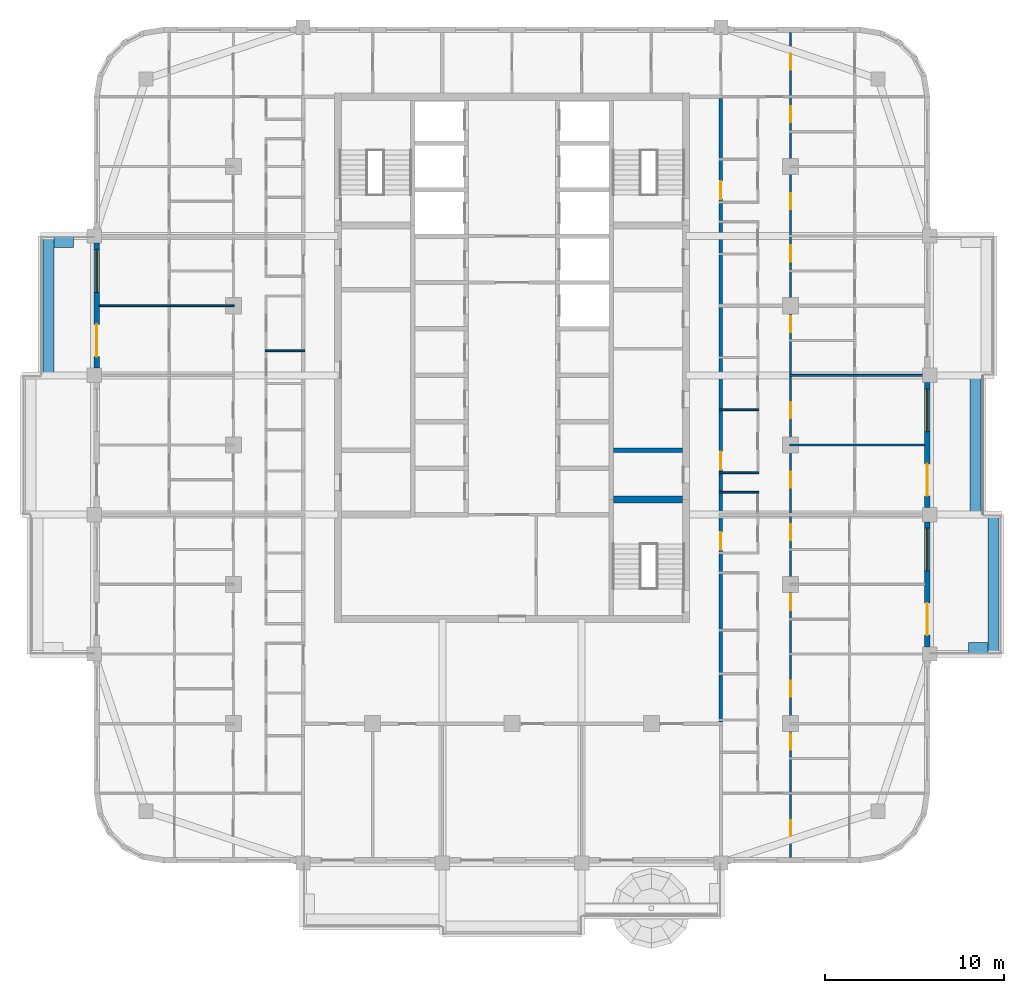
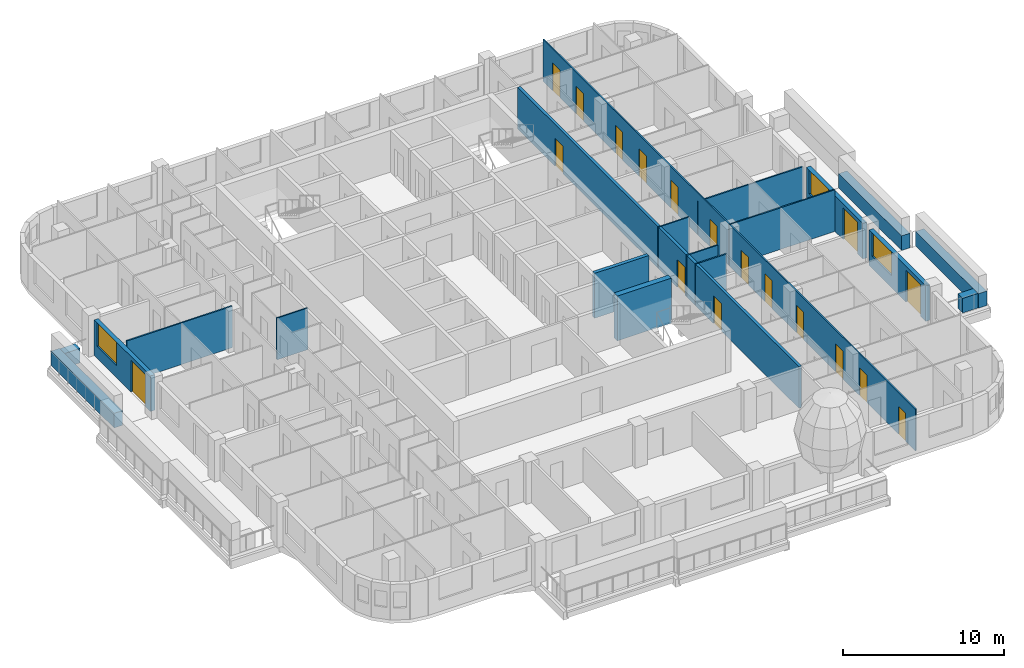
# One storey, part 7 of 17: 19 walls, 18 doors, 3 windows, 21 openings.
"""IFC4 building model written with IfcOpenShell, lengths in metres."""

import ifcopenshell
import ifcopenshell.guid

model = None  # the IFC model being written
_history = None  # IfcOwnerHistory: only IFC2X3 demands one
_inside = {}  # id of a spatial element -> (the spatial element, [elements in it])
_under = {}  # id of a project, library or spatial element -> (it, [spatial elements below it])
_declared = {}  # id of a project -> (the project, [libraries it declares])
_typed = {}  # id of a type object -> (the type object, [elements of that type])
_made_of = {}  # id of a material, layer set ... -> (it, [elements and type objects made of it])


def new_model(schema):
    """Start an empty IFC model of exactly this schema.

    Asked for "IFC4X3", IfcOpenShell would pick the latest addendum, in which some entities
    have other attributes; the version numbers below select the first issue.
    IFC2X3 requires an IfcOwnerHistory on every rooted entity: one is made here for all.
    """
    global model, _history
    if schema == "IFC4X3":
        model = ifcopenshell.file(schema_version=(4, 3, 0, 0))
    else:
        model = ifcopenshell.file(schema=schema)
    _inside.clear()
    _under.clear()
    _declared.clear()
    _typed.clear()
    _made_of.clear()
    _history = None
    if model.schema == "IFC2X3":
        org = make("IfcOrganization", Name="unknown")
        user = make(
            "IfcPersonAndOrganization",
            ThePerson=make("IfcPerson", FamilyName="unknown"),
            TheOrganization=org,
        )
        app = make(
            "IfcApplication",
            ApplicationDeveloper=org,
            Version="unknown",
            ApplicationFullName="unknown",
            ApplicationIdentifier="unknown",
        )
        _history = make(
            "IfcOwnerHistory",
            OwningUser=user,
            OwningApplication=app,
            ChangeAction="ADDED",
            CreationDate=0,
        )
    return model


def make(cls, **values):
    """One entity of the class cls with the attributes given. An attribute that is None is left unset."""
    return model.create_entity(
        cls, **{name: value for name, value in values.items() if value is not None}
    )


def rooted(cls, **values):
    """An entity with a GlobalId (a new one), such as an element, a storey or a relation."""
    return make(cls, GlobalId=ifcopenshell.guid.new(), OwnerHistory=_history, **values)


def si_unit(unit_type, name, prefix=None):
    """IfcSIUnit, for example si_unit("LENGTHUNIT", "METRE", prefix="MILLI")."""
    return make("IfcSIUnit", UnitType=unit_type, Prefix=prefix, Name=name)


def assignment(units):
    """IfcUnitAssignment: the units of a project."""
    return None if units is None else make("IfcUnitAssignment", Units=units)


def point(xyz):
    """IfcCartesianPoint."""
    return None if xyz is None else make("IfcCartesianPoint", Coordinates=xyz)


def direction(xyz):
    """IfcDirection."""
    return None if xyz is None else make("IfcDirection", DirectionRatios=xyz)


def frame(location, z_axis=None, x_axis=None):
    """IfcAxis2Placement3D, a coordinate frame: its origin and axes. An axis left out is left unset."""
    return make(
        "IfcAxis2Placement3D",
        Location=point(location),
        Axis=direction(z_axis),
        RefDirection=direction(x_axis),
    )


def frame_2d(location, x_axis=None):
    """IfcAxis2Placement2D, a coordinate frame in the plane: its origin and x axis."""
    return make(
        "IfcAxis2Placement2D", Location=point(location), RefDirection=direction(x_axis)
    )


def origin():
    """The frame at (0, 0, 0) with its axes left unset."""
    return frame((0.0, 0.0, 0.0))


def place(relative_to, where):
    """IfcLocalPlacement: puts the frame where relative to a parent placement (None: the world)."""
    return make(
        "IfcLocalPlacement", PlacementRelTo=relative_to, RelativePlacement=where
    )


def context(
    kind, dimensions, precision=None, world=None, true_north=None, identifier=None
):
    """IfcGeometricRepresentationContext, for example the 3D "Model" context."""
    return make(
        "IfcGeometricRepresentationContext",
        ContextIdentifier=identifier,
        ContextType=kind,
        CoordinateSpaceDimension=dimensions,
        Precision=precision,
        WorldCoordinateSystem=world,
        TrueNorth=true_north,
    )


def subcontext(parent, identifier, kind, view, scale=None):
    """IfcGeometricRepresentationSubContext, for example "Body" below "Model"."""
    return make(
        "IfcGeometricRepresentationSubContext",
        ContextIdentifier=identifier,
        ContextType=kind,
        ParentContext=parent,
        TargetScale=scale,
        TargetView=view,
    )


def project(units=None, contexts=None):
    """IfcProject with its units and contexts."""
    return rooted(
        "IfcProject",
        Name="project",
        RepresentationContexts=contexts,
        UnitsInContext=assignment(units),
    )


def spatial(cls, under=None, at=None, **own):
    """A site, building, storey or space (cls), placed at a placement, below another one or the project."""
    s = rooted(cls, ObjectPlacement=at, **own)
    if under is not None:
        _under.setdefault(under.id(), (under, []))[1].append(s)
    return s


def profile(cls, at=None, kind="AREA", **sizes):
    """A parametric profile (cls). Its sizes go by their IFC names, for example OverallWidth=200.0."""
    return make(cls, ProfileType=kind, Position=at, **sizes)


def rectangle(**sizes):
    """IfcRectangleProfileDef."""
    return profile("IfcRectangleProfileDef", **sizes)


def extrude(swept, where, along, depth):
    """IfcExtrudedAreaSolid: the profile swept, set in the frame where, extruded along a direction by depth."""
    return make(
        "IfcExtrudedAreaSolid",
        SweptArea=swept,
        Position=where,
        ExtrudedDirection=direction(along),
        Depth=depth,
    )


def shape(context_of_items, identifier, shape_type, items):
    """IfcShapeRepresentation: the items that make up one representation, for example the "Body"."""
    return make(
        "IfcShapeRepresentation",
        ContextOfItems=context_of_items,
        RepresentationIdentifier=identifier,
        RepresentationType=shape_type,
        Items=items,
    )


def material(Name=None, Category=None):
    """IfcMaterial."""
    return make("IfcMaterial", Name=Name, Category=Category)


def layer(
    of_material, thickness, ventilated=None, Name=None, Category=None, Priority=None
):
    """IfcMaterialLayer: one layer of a wall or slab, of a material (None: an air gap)."""
    return make(
        "IfcMaterialLayer",
        Material=of_material,
        LayerThickness=thickness,
        IsVentilated=ventilated,
        Name=Name,
        Category=Category,
        Priority=Priority,
    )


def layer_set(layers, Name=None):
    """IfcMaterialLayerSet."""
    return make("IfcMaterialLayerSet", MaterialLayers=layers, LayerSetName=Name)


def made_of(thing, what):
    """Note that an element or type object is made of a material, layer set ...; save() writes the relation."""
    if what is not None:
        _made_of.setdefault(what.id(), (what, []))[1].append(thing)
    return thing


def type_object(cls, material=None, **own):
    """A type object (cls), such as IfcWallType, which elements share."""
    return made_of(rooted(cls, **own), material)


def element(
    cls,
    number,
    at=None,
    inside=None,
    cuts=None,
    type_object=None,
    material=None,
    context=None,
    identifier="Body",
    shape_type=None,
    held_by="IfcProductDefinitionShape",
    body=None,
    shapes=None,
    **own,
):
    """One element of the class cls, such as IfcWall. Its Tag is "e" and its number.

    at: its placement. inside: the storey or other place that contains it. cuts: it is an
    opening in that element (IfcRelVoidsElement). A single representation is given by context,
    identifier, shape_type and body (its items); several are given by shapes. held_by: the class
    of the entity that holds the representations. save() writes the other relations.
    """
    e = rooted(cls, Tag="e%d" % number, ObjectPlacement=at, **own)
    if body is not None:
        shapes = [shape(context, identifier, shape_type, body)]
    if shapes is not None:
        e.Representation = make(held_by, Representations=shapes)
    if inside is not None:
        _inside.setdefault(inside.id(), (inside, []))[1].append(e)
    if cuts is not None:
        rooted(
            "IfcRelVoidsElement", RelatingBuildingElement=cuts, RelatedOpeningElement=e
        )
    if type_object is not None:
        _typed.setdefault(type_object.id(), (type_object, []))[1].append(e)
    return made_of(e, material)


def fill(opening, filler):
    """IfcRelFillsElement: the door or window that sits in an opening."""
    return rooted(
        "IfcRelFillsElement",
        RelatingOpeningElement=opening,
        RelatedBuildingElement=filler,
    )


def aggregate(whole, parts):
    """IfcRelAggregates: a whole, such as a stair, and the parts it consists of."""
    return rooted("IfcRelAggregates", RelatingObject=whole, RelatedObjects=parts)


def save(model, path):
    """Write the relations noted so far, then the file.

    IfcRelAggregates (storeys below a building ...), IfcRelContainedInSpatialStructure (elements
    in a storey), IfcRelDefinesByType, IfcRelAssociatesMaterial and IfcRelDeclares: one each for
    every whole, place, type object, material and project.
    """
    for whole, parts in _under.values():
        aggregate(whole, parts)
    for where, things in _inside.values():
        rooted(
            "IfcRelContainedInSpatialStructure",
            RelatedElements=things,
            RelatingStructure=where,
        )
    for kind, things in _typed.values():
        rooted("IfcRelDefinesByType", RelatedObjects=things, RelatingType=kind)
    for what, things in _made_of.values():
        rooted("IfcRelAssociatesMaterial", RelatedObjects=things, RelatingMaterial=what)
    for by, libraries in _declared.values():
        rooted("IfcRelDeclares", RelatingContext=by, RelatedDefinitions=libraries)
    model.write(path)


model = new_model("IFC4")

# Units and contexts
model_context = context("Model", 3, precision=1e-05, world=origin(), true_north=direction((0.0, 1.0)))
body_context = subcontext(model_context, "Body", "Model", "MODEL_VIEW")
ifc_project = project(units=[si_unit("LENGTHUNIT", "METRE"), si_unit("AREAUNIT", "SQUARE_METRE"), si_unit("VOLUMEUNIT", "CUBIC_METRE"), si_unit("PLANEANGLEUNIT", "RADIAN"), si_unit("MASSUNIT", "GRAM", prefix="KILO")], contexts=[model_context])

# Site, building, storey
site_placement = place(None, origin())
site = spatial("IfcSite", under=ifc_project, at=site_placement, CompositionType="ELEMENT")
building_placement = place(site_placement, origin())
building = spatial("IfcBuilding", under=site, at=building_placement, Name="Ludao Terraces", CompositionType="ELEMENT")
storey_placement = place(building_placement, frame((0.0, 0.0, 210.89990234375)))
storey = spatial("IfcBuildingStorey", under=building, at=storey_placement, Name="L57", CompositionType="ELEMENT", Elevation=210.89990234375)

# Walls
ifc_material_1 = material(Name="Concrete C40", Category="concrete")
ifc_layer_1 = layer(ifc_material_1, 0.60009765625)
ifc_layer_set_1 = layer_set([ifc_layer_1], Name="ENV Planter trough 600")
wall_type_1 = type_object("IfcWallType", Name="ENV Planter trough 600", PredefinedType="USERDEFINED", material=ifc_layer_set_1)
wall_1_placement = place(storey_placement, frame((111.949951171875, 53.300048828125, 0.0), z_axis=(0.0, 0.0, 1.0), x_axis=(0.0, 1.0, 0.0)))
element("IfcWall", 1, at=wall_1_placement, inside=storey, type_object=wall_type_1, Name="PL-L57-E1", ObjectType="PLANTER", PredefinedType="USERDEFINED", context=body_context, shape_type="SweptSolid", body=[
    extrude(rectangle(XDim=7.800048828125, YDim=0.60009765625, at=frame_2d((3.89990234375, 0.0))), origin(), (0.0, 0.0, 1.0), 1.10009765625),
])
wall_2_placement = place(storey_placement, frame((111.64990234375, 53.64990234375, 0.0), z_axis=(0.0, 0.0, 1.0), x_axis=(-1.0, 0.0, 0.0)))
element("IfcWall", 2, at=wall_2_placement, inside=storey, type_object=wall_type_1, Name="PL-L57-E1-SA", ObjectType="PLANTER", PredefinedType="USERDEFINED", context=body_context, shape_type="SweptSolid", body=[
    extrude(rectangle(XDim=1.099853515625, YDim=0.60009765625, at=frame_2d((0.5498046875, 0.0))), origin(), (0.0, 0.0, 1.0), 1.10009765625),
])
wall_3_placement = place(storey_placement, frame((110.949951171875, 61.10009765625, 0.0), z_axis=(0.0, 0.0, 1.0), x_axis=(0.0, 1.0, 0.0)))
element("IfcWall", 3, at=wall_3_placement, inside=storey, type_object=wall_type_1, Name="PL-L57-E2", ObjectType="PLANTER", PredefinedType="USERDEFINED", context=body_context, shape_type="SweptSolid", body=[
    extrude(rectangle(XDim=7.7998046875, YDim=0.60009765625, at=frame_2d((3.89990234375, 0.0))), origin(), (0.0, 0.0, 1.0), 1.10009765625),
])
wall_4_placement = place(storey_placement, frame((59.050048828125, 68.89990234375, 0.0), z_axis=(0.0, 0.0, 1.0), x_axis=(0.0, 1.0, 0.0)))
element("IfcWall", 4, at=wall_4_placement, inside=storey, type_object=wall_type_1, Name="PL-L57-W3", ObjectType="PLANTER", PredefinedType="USERDEFINED", context=body_context, shape_type="SweptSolid", body=[
    extrude(rectangle(XDim=7.800048828125, YDim=0.60009765625, at=frame_2d((3.89990234375, 0.0))), origin(), (0.0, 0.0, 1.0), 1.10009765625),
])
wall_5_placement = place(storey_placement, frame((59.35009765625, 76.35009765625, 0.0), z_axis=(0.0, 0.0, 1.0), x_axis=(1.0, 0.0, 0.0)))
element("IfcWall", 5, at=wall_5_placement, inside=storey, type_object=wall_type_1, Name="PL-L57-W3-SB", ObjectType="PLANTER", PredefinedType="USERDEFINED", context=body_context, shape_type="SweptSolid", body=[
    extrude(rectangle(XDim=1.099853515625, YDim=0.60009765625, at=frame_2d((0.5498046875, 0.0))), origin(), (0.0, 0.0, 1.0), 1.10009765625),
])

# Wall, openings, door, window
ifc_material_2 = material(Name="Granite cladding", Category="masonry")
ifc_layer_2 = layer(ifc_material_2, 0.0400390625, Category="stone")
ifc_material_3 = material(Name="Mineral wool")
ifc_layer_3 = layer(ifc_material_3, 0.06005859375)
ifc_layer_4 = layer(ifc_material_1, 0.199951171875, Category="concrete")
ifc_layer_set_2 = layer_set([ifc_layer_2, ifc_layer_3, ifc_layer_4], Name="ENV Stone-clad wall 300")
wall_type_2 = type_object("IfcWallType", Name="ENV Stone-clad wall 300", PredefinedType="SOLIDWALL", material=ifc_layer_set_2)
wall_6_placement = place(storey_placement, frame((108.25, 53.699951171875, 0.0), z_axis=(0.0, 0.0, 1.0), x_axis=(0.0, 1.0, 0.0)))
wall_6 = element("IfcWall", 6, at=wall_6_placement, inside=storey, type_object=wall_type_2, Name="EW-L57-E2", PredefinedType="SOLIDWALL", context=body_context, shape_type="SweptSolid", body=[
    extrude(rectangle(XDim=7.0, YDim=0.300048828125, at=frame_2d((3.5, 0.0))), origin(), (0.0, 0.0, 1.0), 2.7001953125),
])
opening_1_placement = place(wall_6_placement, frame((0.64990234375, 0.0, 0.0)))
opening_1 = element("IfcOpeningElement", 7, at=opening_1_placement, cuts=wall_6, Name="Opening BD", PredefinedType="OPENING", context=body_context, shape_type="SweptSolid", body=[
    extrude(rectangle(XDim=1.800048828125, YDim=2.39990234375, at=frame_2d((0.89990234375, 1.199951171875))), frame((0.0, 0.16015625, 0.0), z_axis=(0.0, -1.0, 0.0), x_axis=(1.0, 0.0, 0.0)), (0.0, 0.0, 1.0), 0.320068359375),
])
opening_2_placement = place(wall_6_placement, frame((4.25, 0.0, 0.89990234375)))
opening_2 = element("IfcOpeningElement", 8, at=opening_2_placement, cuts=wall_6, Name="Opening W1", PredefinedType="OPENING", context=body_context, shape_type="SweptSolid", body=[
    extrude(rectangle(XDim=2.39990234375, YDim=1.800048828125, at=frame_2d((1.199951171875, 0.89990234375))), frame((0.0, 0.16015625, 0.0), z_axis=(0.0, -1.0, 0.0), x_axis=(1.0, 0.0, 0.0)), (0.0, 0.0, 1.0), 0.320068359375),
])
ifc_material_4 = material(Name="Aluminium glazed door", Category="aluminium")
ifc_layer_5 = layer(ifc_material_4, 0.06005859375)
ifc_layer_set_3 = layer_set([ifc_layer_5], Name="ENV Balcony door BD 1800x2400")
door_type_1 = type_object("IfcDoorType", Name="ENV Balcony door BD 1800x2400", OperationType="DOUBLE_DOOR_SINGLE_SWING", PredefinedType="DOOR", material=ifc_layer_set_3)
door_1_placement = place(opening_1_placement, origin())
door_1 = element("IfcDoor", 9, at=door_1_placement, inside=storey, type_object=door_type_1, Name="BD-L57-E2-1", OperationType="DOUBLE_DOOR_SINGLE_SWING", OverallHeight=2.39990234375, OverallWidth=1.800048828125, PredefinedType="DOOR", context=body_context, shape_type="SweptSolid", body=[
    extrude(rectangle(XDim=1.800048828125, YDim=2.39990234375, at=frame_2d((0.89990234375, 1.199951171875))), frame((0.0, 0.02490234375, 0.0), z_axis=(0.0, -1.0, 0.0), x_axis=(1.0, 0.0, 0.0)), (0.0, 0.0, 1.0), 0.050048828125),
])
fill(opening_1, door_1)
ifc_material_5 = material(Name="Clear glass in aluminium frame", Category="aluminium")
ifc_layer_6 = layer(ifc_material_5, 0.06005859375)
ifc_layer_set_4 = layer_set([ifc_layer_6], Name="ENV Window W1 2400x1800")
window_type = type_object("IfcWindowType", Name="ENV Window W1 2400x1800", PartitioningType="DOUBLE_PANEL_VERTICAL", PredefinedType="WINDOW", material=ifc_layer_set_4)
window_1_placement = place(opening_2_placement, origin())
window_1 = element("IfcWindow", 10, at=window_1_placement, inside=storey, type_object=window_type, Name="W-L57-E2-2", OverallHeight=1.800048828125, OverallWidth=2.39990234375, PartitioningType="DOUBLE_PANEL_VERTICAL", PredefinedType="WINDOW", context=body_context, shape_type="SweptSolid", body=[
    extrude(rectangle(XDim=2.39990234375, YDim=1.800048828125, at=frame_2d((1.199951171875, 0.89990234375))), frame((0.0, 0.030029296875, 0.0), z_axis=(0.0, -1.0, 0.0), x_axis=(1.0, 0.0, 0.0)), (0.0, 0.0, 1.0), 0.06005859375),
])
fill(opening_2, window_1)

wall_7_placement = place(storey_placement, frame((108.25, 61.5, 0.0), z_axis=(0.0, 0.0, 1.0), x_axis=(0.0, 1.0, 0.0)))
wall_7 = element("IfcWall", 11, at=wall_7_placement, inside=storey, type_object=wall_type_2, Name="EW-L57-E3", PredefinedType="SOLIDWALL", context=body_context, shape_type="SweptSolid", body=[
    extrude(rectangle(XDim=7.0, YDim=0.300048828125, at=frame_2d((3.5, 0.0))), origin(), (0.0, 0.0, 1.0), 2.7001953125),
])
opening_3_placement = place(wall_7_placement, frame((0.64990234375, 0.0, 0.0)))
opening_3 = element("IfcOpeningElement", 12, at=opening_3_placement, cuts=wall_7, Name="Opening BD", PredefinedType="OPENING", context=body_context, shape_type="SweptSolid", body=[
    extrude(rectangle(XDim=1.800048828125, YDim=2.39990234375, at=frame_2d((0.89990234375, 1.199951171875))), frame((0.0, 0.16015625, 0.0), z_axis=(0.0, -1.0, 0.0), x_axis=(1.0, 0.0, 0.0)), (0.0, 0.0, 1.0), 0.320068359375),
])
opening_4_placement = place(wall_7_placement, frame((4.25, 0.0, 0.89990234375)))
opening_4 = element("IfcOpeningElement", 13, at=opening_4_placement, cuts=wall_7, Name="Opening W1", PredefinedType="OPENING", context=body_context, shape_type="SweptSolid", body=[
    extrude(rectangle(XDim=2.39990234375, YDim=1.800048828125, at=frame_2d((1.199951171875, 0.89990234375))), frame((0.0, 0.16015625, 0.0), z_axis=(0.0, -1.0, 0.0), x_axis=(1.0, 0.0, 0.0)), (0.0, 0.0, 1.0), 0.320068359375),
])
door_2_placement = place(opening_3_placement, origin())
door_2 = element("IfcDoor", 14, at=door_2_placement, inside=storey, type_object=door_type_1, Name="BD-L57-E3-1", OperationType="DOUBLE_DOOR_SINGLE_SWING", OverallHeight=2.39990234375, OverallWidth=1.800048828125, PredefinedType="DOOR", context=body_context, shape_type="SweptSolid", body=[
    extrude(rectangle(XDim=1.800048828125, YDim=2.39990234375, at=frame_2d((0.89990234375, 1.199951171875))), frame((0.0, 0.02490234375, 0.0), z_axis=(0.0, -1.0, 0.0), x_axis=(1.0, 0.0, 0.0)), (0.0, 0.0, 1.0), 0.050048828125),
])
fill(opening_3, door_2)
window_2_placement = place(opening_4_placement, origin())
window_2 = element("IfcWindow", 15, at=window_2_placement, inside=storey, type_object=window_type, Name="W-L57-E3-2", OverallHeight=1.800048828125, OverallWidth=2.39990234375, PartitioningType="DOUBLE_PANEL_VERTICAL", PredefinedType="WINDOW", context=body_context, shape_type="SweptSolid", body=[
    extrude(rectangle(XDim=2.39990234375, YDim=1.800048828125, at=frame_2d((1.199951171875, 0.89990234375))), frame((0.0, 0.030029296875, 0.0), z_axis=(0.0, -1.0, 0.0), x_axis=(1.0, 0.0, 0.0)), (0.0, 0.0, 1.0), 0.06005859375),
])
fill(opening_4, window_2)

wall_8_placement = place(storey_placement, frame((61.75, 69.300048828125, 0.0), z_axis=(0.0, 0.0, 1.0), x_axis=(0.0, 1.0, 0.0)))
wall_8 = element("IfcWall", 16, at=wall_8_placement, inside=storey, type_object=wall_type_2, Name="EW-L57-W4", PredefinedType="SOLIDWALL", context=body_context, shape_type="SweptSolid", body=[
    extrude(rectangle(XDim=7.0, YDim=0.300048828125, at=frame_2d((3.5, 0.0))), origin(), (0.0, 0.0, 1.0), 2.7001953125),
])
opening_5_placement = place(wall_8_placement, frame((0.64990234375, 0.0, 0.0)))
opening_5 = element("IfcOpeningElement", 17, at=opening_5_placement, cuts=wall_8, Name="Opening BD", PredefinedType="OPENING", context=body_context, shape_type="SweptSolid", body=[
    extrude(rectangle(XDim=1.800048828125, YDim=2.39990234375, at=frame_2d((0.89990234375, 1.199951171875))), frame((0.0, 0.16015625, 0.0), z_axis=(0.0, -1.0, 0.0), x_axis=(1.0, 0.0, 0.0)), (0.0, 0.0, 1.0), 0.320068359375),
])
opening_6_placement = place(wall_8_placement, frame((4.25, 0.0, 0.89990234375)))
opening_6 = element("IfcOpeningElement", 18, at=opening_6_placement, cuts=wall_8, Name="Opening W1", PredefinedType="OPENING", context=body_context, shape_type="SweptSolid", body=[
    extrude(rectangle(XDim=2.39990234375, YDim=1.800048828125, at=frame_2d((1.199951171875, 0.89990234375))), frame((0.0, 0.16015625, 0.0), z_axis=(0.0, -1.0, 0.0), x_axis=(1.0, 0.0, 0.0)), (0.0, 0.0, 1.0), 0.320068359375),
])
door_3_placement = place(opening_5_placement, origin())
door_3 = element("IfcDoor", 19, at=door_3_placement, inside=storey, type_object=door_type_1, Name="BD-L57-W4-1", OperationType="DOUBLE_DOOR_SINGLE_SWING", OverallHeight=2.39990234375, OverallWidth=1.800048828125, PredefinedType="DOOR", context=body_context, shape_type="SweptSolid", body=[
    extrude(rectangle(XDim=1.800048828125, YDim=2.39990234375, at=frame_2d((0.89990234375, 1.199951171875))), frame((0.0, 0.02490234375, 0.0), z_axis=(0.0, -1.0, 0.0), x_axis=(1.0, 0.0, 0.0)), (0.0, 0.0, 1.0), 0.050048828125),
])
fill(opening_5, door_3)
window_3_placement = place(opening_6_placement, origin())
window_3 = element("IfcWindow", 20, at=window_3_placement, inside=storey, type_object=window_type, Name="W-L57-W4-2", OverallHeight=1.800048828125, OverallWidth=2.39990234375, PartitioningType="DOUBLE_PANEL_VERTICAL", PredefinedType="WINDOW", context=body_context, shape_type="SweptSolid", body=[
    extrude(rectangle(XDim=2.39990234375, YDim=1.800048828125, at=frame_2d((1.199951171875, 0.89990234375))), frame((0.0, 0.030029296875, 0.0), z_axis=(0.0, -1.0, 0.0), x_axis=(1.0, 0.0, 0.0)), (0.0, 0.0, 1.0), 0.06005859375),
])
fill(opening_6, window_3)

# Wall, openings, doors
ifc_material_6 = material(Name="Autoclaved aerated concrete block B06 A3.5", Category="concrete")
ifc_layer_7 = layer(ifc_material_6, 0.199951171875)
ifc_layer_set_5 = layer_set([ifc_layer_7], Name="INT Entrance wall 200")
wall_type_3 = type_object("IfcWallType", Name="INT Entrance wall 200", PredefinedType="PARTITIONING", material=ifc_layer_set_5)
wall_9_placement = place(storey_placement, frame((96.699951171875, 49.5, 0.0), z_axis=(0.0, 0.0, 1.0), x_axis=(0.0, 1.0, 0.0)))
wall_9 = element("IfcWall", 21, at=wall_9_placement, inside=storey, type_object=wall_type_3, Name="PW-L57-PW090", PredefinedType="PARTITIONING", context=body_context, shape_type="SweptSolid", body=[
    extrude(rectangle(XDim=34.900146484375, YDim=0.199951171875, at=frame_2d((17.4501953125, 0.0))), origin(), (0.0, 0.0, 1.0), 3.150146484375),
])
opening_7_placement = place(wall_9_placement, frame((9.625, 0.0, 0.0)))
opening_7 = element("IfcOpeningElement", 22, at=opening_7_placement, cuts=wall_9, Name="Opening R20-042", PredefinedType="OPENING", context=body_context, shape_type="SweptSolid", body=[
    extrude(rectangle(XDim=1.0, YDim=2.10009765625, at=frame_2d((0.5, 1.050048828125))), frame((0.0, 0.10986328125, 0.0), z_axis=(0.0, -1.0, 0.0), x_axis=(1.0, 0.0, 0.0)), (0.0, 0.0, 1.0), 0.219970703125),
])
opening_8_placement = place(wall_9_placement, frame((14.125, 0.0, 0.0)))
opening_8 = element("IfcOpeningElement", 23, at=opening_8_placement, cuts=wall_9, Name="Opening R20-061", PredefinedType="OPENING", context=body_context, shape_type="SweptSolid", body=[
    extrude(rectangle(XDim=1.0, YDim=2.10009765625, at=frame_2d((0.5, 1.050048828125))), frame((0.0, 0.10986328125, 0.0), z_axis=(0.0, -1.0, 0.0), x_axis=(1.0, 0.0, 0.0)), (0.0, 0.0, 1.0), 0.219970703125),
])
opening_9_placement = place(wall_9_placement, frame((29.275146484375, 0.0, 0.0)))
opening_9 = element("IfcOpeningElement", 24, at=opening_9_placement, cuts=wall_9, Name="Opening R20-113", PredefinedType="OPENING", context=body_context, shape_type="SweptSolid", body=[
    extrude(rectangle(XDim=1.0, YDim=2.10009765625, at=frame_2d((0.5, 1.050048828125))), frame((0.0, 0.10986328125, 0.0), z_axis=(0.0, -1.0, 0.0), x_axis=(1.0, 0.0, 0.0)), (0.0, 0.0, 1.0), 0.219970703125),
])
ifc_material_7 = material(Name="Steel Q235", Category="steel")
door_type_2 = type_object("IfcDoorType", Name="INT Flat entrance door 1000", OperationType="SINGLE_SWING_LEFT", PredefinedType="DOOR", material=ifc_material_7)
door_4_placement = place(opening_7_placement, origin())
door_4 = element("IfcDoor", 25, at=door_4_placement, inside=storey, type_object=door_type_2, Name="DOOR 042", OperationType="SINGLE_SWING_LEFT", OverallHeight=2.10009765625, OverallWidth=1.0, PredefinedType="DOOR", context=body_context, shape_type="SweptSolid", body=[
    extrude(rectangle(XDim=1.0, YDim=2.10009765625, at=frame_2d((0.5, 1.050048828125))), frame((0.0, 0.02490234375, 0.0), z_axis=(0.0, -1.0, 0.0), x_axis=(1.0, 0.0, 0.0)), (0.0, 0.0, 1.0), 0.050048828125),
])
fill(opening_7, door_4)
door_5_placement = place(opening_8_placement, origin())
door_5 = element("IfcDoor", 26, at=door_5_placement, inside=storey, type_object=door_type_2, Name="DOOR 061", OperationType="SINGLE_SWING_LEFT", OverallHeight=2.10009765625, OverallWidth=1.0, PredefinedType="DOOR", context=body_context, shape_type="SweptSolid", body=[
    extrude(rectangle(XDim=1.0, YDim=2.10009765625, at=frame_2d((0.5, 1.050048828125))), frame((0.0, 0.02490234375, 0.0), z_axis=(0.0, -1.0, 0.0), x_axis=(1.0, 0.0, 0.0)), (0.0, 0.0, 1.0), 0.050048828125),
])
fill(opening_8, door_5)
door_6_placement = place(opening_9_placement, origin())
door_6 = element("IfcDoor", 27, at=door_6_placement, inside=storey, type_object=door_type_2, Name="DOOR 113", OperationType="SINGLE_SWING_LEFT", OverallHeight=2.10009765625, OverallWidth=1.0, PredefinedType="DOOR", context=body_context, shape_type="SweptSolid", body=[
    extrude(rectangle(XDim=1.0, YDim=2.10009765625, at=frame_2d((0.5, 1.050048828125))), frame((0.0, 0.02490234375, 0.0), z_axis=(0.0, -1.0, 0.0), x_axis=(1.0, 0.0, 0.0)), (0.0, 0.0, 1.0), 0.050048828125),
])
fill(opening_9, door_6)

# Walls
ifc_material_8 = material(Name="Gypsum plasterboard", Category="gypsum")
ifc_layer_8 = layer(ifc_material_8, 0.012451171875, Category="gypsum")
ifc_layer_9 = layer(ifc_material_3, 0.06005859375, Name="insulation")
ifc_layer_10 = layer(ifc_material_7, 0.014892578125, Name="stud")
ifc_layer_11 = layer(ifc_material_8, 0.012451171875, Category="gypsum")
ifc_layer_set_6 = layer_set([ifc_layer_8, ifc_layer_9, ifc_layer_10, ifc_layer_11], Name="INT Partition 100")
wall_type_4 = type_object("IfcWallType", Name="INT Partition 100", PredefinedType="PARTITIONING", material=ifc_layer_set_6)
for number, where, z_axis, x_axis, name in (
    (28, (96.60009765625, 62.35009765625, 0.0), (0.0, 0.0, 1.0), (1.0, 0.0, 0.0), "PW-L57-PW029"),
    (29, (96.60009765625, 63.449951171875, 0.0), (0.0, 0.0, 1.0), (1.0, 0.0, 0.0), "PW-L57-PW031"),
):
    element("IfcWall", number, at=place(storey_placement, frame(where, z_axis=z_axis, x_axis=x_axis)), inside=storey, type_object=wall_type_4, Name=name, PredefinedType="PARTITIONING", context=body_context, shape_type="SweptSolid", body=[
        extrude(rectangle(XDim=2.219970703125, YDim=0.10009765625, at=frame_2d((1.10986328125, 0.0))), origin(), (0.0, 0.0, 1.0), 3.150146484375),
    ])
wall_10_placement = place(storey_placement, frame((100.550048828125, 65.0, 0.0), z_axis=(0.0, 0.0, 1.0), x_axis=(1.0, 0.0, 0.0)))
element("IfcWall", 30, at=wall_10_placement, inside=storey, type_object=wall_type_4, Name="PW-L57-PW034", PredefinedType="PARTITIONING", context=body_context, shape_type="SweptSolid", body=[
    extrude(rectangle(XDim=7.550048828125, YDim=0.10009765625, at=frame_2d((3.77490234375, 0.0))), origin(), (0.0, 0.0, 1.0), 3.150146484375),
])
wall_11_placement = place(storey_placement, frame((96.60009765625, 66.969970703125, 0.0), z_axis=(0.0, 0.0, 1.0), x_axis=(1.0, 0.0, 0.0)))
element("IfcWall", 31, at=wall_11_placement, inside=storey, type_object=wall_type_4, Name="PW-L57-PW036", PredefinedType="PARTITIONING", context=body_context, shape_type="SweptSolid", body=[
    extrude(rectangle(XDim=2.219970703125, YDim=0.10009765625, at=frame_2d((1.10986328125, 0.0))), origin(), (0.0, 0.0, 1.0), 3.150146484375),
])
wall_12_placement = place(storey_placement, frame((100.550048828125, 68.89990234375, 0.0), z_axis=(0.0, 0.0, 1.0), x_axis=(1.0, 0.0, 0.0)))
element("IfcWall", 32, at=wall_12_placement, inside=storey, type_object=wall_type_4, Name="PW-L57-PW039", PredefinedType="PARTITIONING", context=body_context, shape_type="SweptSolid", body=[
    extrude(rectangle(XDim=7.550048828125, YDim=0.10009765625, at=frame_2d((3.77490234375, 0.0))), origin(), (0.0, 0.0, 1.0), 2.550048828125),
])
wall_13_placement = place(storey_placement, frame((71.18017578125, 70.280029296875, 0.0), z_axis=(0.0, 0.0, 1.0), x_axis=(1.0, 0.0, 0.0)))
element("IfcWall", 33, at=wall_13_placement, inside=storey, type_object=wall_type_4, Name="PW-L57-PW041", PredefinedType="PARTITIONING", context=body_context, shape_type="SweptSolid", body=[
    extrude(rectangle(XDim=2.219970703125, YDim=0.10009765625, at=frame_2d((1.10986328125, 0.0))), origin(), (0.0, 0.0, 1.0), 3.150146484375),
])
wall_14_placement = place(storey_placement, frame((61.900146484375, 72.800048828125, 0.0), z_axis=(0.0, 0.0, 1.0), x_axis=(1.0, 0.0, 0.0)))
element("IfcWall", 34, at=wall_14_placement, inside=storey, type_object=wall_type_4, Name="PW-L57-PW044", PredefinedType="PARTITIONING", context=body_context, shape_type="SweptSolid", body=[
    extrude(rectangle(XDim=7.550048828125, YDim=0.10009765625, at=frame_2d((3.77490234375, 0.0))), origin(), (0.0, 0.0, 1.0), 3.150146484375),
])

# Wall, openings, doors
wall_15_placement = place(storey_placement, frame((100.60009765625, 41.900146484375, 0.0), z_axis=(0.0, 0.0, 1.0), x_axis=(0.0, 1.0, 0.0)))
wall_15 = element("IfcWall", 35, at=wall_15_placement, inside=storey, type_object=wall_type_4, Name="PW-L57-PW096", PredefinedType="PARTITIONING", context=body_context, shape_type="SweptSolid", body=[
    extrude(rectangle(XDim=46.199951171875, YDim=0.10009765625, at=frame_2d((23.10009765625, 0.0))), origin(), (0.0, 0.0, 1.0), 3.150146484375),
])
opening_10_placement = place(wall_15_placement, frame((1.199951171875, 0.0, 0.0)))
opening_10 = element("IfcOpeningElement", 36, at=opening_10_placement, cuts=wall_15, Name="Opening R20-003", PredefinedType="OPENING", context=body_context, shape_type="SweptSolid", body=[
    extrude(rectangle(XDim=0.89990234375, YDim=2.10009765625, at=frame_2d((0.449951171875, 1.050048828125))), frame((0.0, 0.06005859375, 0.0), z_axis=(0.0, -1.0, 0.0), x_axis=(1.0, 0.0, 0.0)), (0.0, 0.0, 1.0), 0.1201171875),
])
opening_11_placement = place(wall_15_placement, frame((6.02490234375, 0.0, 0.0)))
opening_11 = element("IfcOpeningElement", 37, at=opening_11_placement, cuts=wall_15, Name="Opening R20-012", PredefinedType="OPENING", context=body_context, shape_type="SweptSolid", body=[
    extrude(rectangle(XDim=0.89990234375, YDim=2.10009765625, at=frame_2d((0.449951171875, 1.050048828125))), frame((0.0, 0.06005859375, 0.0), z_axis=(0.0, -1.0, 0.0), x_axis=(1.0, 0.0, 0.0)), (0.0, 0.0, 1.0), 0.1201171875),
])
opening_12_placement = place(wall_15_placement, frame((9.0, 0.0, 0.0)))
opening_12 = element("IfcOpeningElement", 38, at=opening_12_placement, cuts=wall_15, Name="Opening R20-022", PredefinedType="OPENING", context=body_context, shape_type="SweptSolid", body=[
    extrude(rectangle(XDim=0.89990234375, YDim=2.10009765625, at=frame_2d((0.449951171875, 1.050048828125))), frame((0.0, 0.06005859375, 0.0), z_axis=(0.0, -1.0, 0.0), x_axis=(1.0, 0.0, 0.0)), (0.0, 0.0, 1.0), 0.1201171875),
])
opening_13_placement = place(wall_15_placement, frame((13.85009765625, 0.0, 0.0)))
opening_13 = element("IfcOpeningElement", 39, at=opening_13_placement, cuts=wall_15, Name="Opening R20-034", PredefinedType="OPENING", context=body_context, shape_type="SweptSolid", body=[
    extrude(rectangle(XDim=0.89990234375, YDim=2.10009765625, at=frame_2d((0.449951171875, 1.050048828125))), frame((0.0, 0.06005859375, 0.0), z_axis=(0.0, -1.0, 0.0), x_axis=(1.0, 0.0, 0.0)), (0.0, 0.0, 1.0), 0.1201171875),
])
opening_14_placement = place(wall_15_placement, frame((17.77490234375, 0.0, 0.0)))
opening_14 = element("IfcOpeningElement", 40, at=opening_14_placement, cuts=wall_15, Name="Opening R20-047", PredefinedType="OPENING", context=body_context, shape_type="SweptSolid", body=[
    extrude(rectangle(XDim=0.89990234375, YDim=2.10009765625, at=frame_2d((0.449951171875, 1.050048828125))), frame((0.0, 0.06005859375, 0.0), z_axis=(0.0, -1.0, 0.0), x_axis=(1.0, 0.0, 0.0)), (0.0, 0.0, 1.0), 0.1201171875),
])
opening_15_placement = place(wall_15_placement, frame((20.699951171875, 0.0, 0.0)))
opening_15 = element("IfcOpeningElement", 41, at=opening_15_placement, cuts=wall_15, Name="Opening R20-056", PredefinedType="OPENING", context=body_context, shape_type="SweptSolid", body=[
    extrude(rectangle(XDim=0.89990234375, YDim=2.10009765625, at=frame_2d((0.449951171875, 1.050048828125))), frame((0.0, 0.06005859375, 0.0), z_axis=(0.0, -1.0, 0.0), x_axis=(1.0, 0.0, 0.0)), (0.0, 0.0, 1.0), 0.1201171875),
])
opening_16_placement = place(wall_15_placement, frame((24.60009765625, 0.0, 0.0)))
opening_16 = element("IfcOpeningElement", 42, at=opening_16_placement, cuts=wall_15, Name="Opening R20-068", PredefinedType="OPENING", context=body_context, shape_type="SweptSolid", body=[
    extrude(rectangle(XDim=0.89990234375, YDim=2.10009765625, at=frame_2d((0.449951171875, 1.050048828125))), frame((0.0, 0.06005859375, 0.0), z_axis=(0.0, -1.0, 0.0), x_axis=(1.0, 0.0, 0.0)), (0.0, 0.0, 1.0), 0.1201171875),
])
opening_17_placement = place(wall_15_placement, frame((29.425048828125, 0.0, 0.0)))
opening_17 = element("IfcOpeningElement", 43, at=opening_17_placement, cuts=wall_15, Name="Opening R20-083", PredefinedType="OPENING", context=body_context, shape_type="SweptSolid", body=[
    extrude(rectangle(XDim=0.89990234375, YDim=2.10009765625, at=frame_2d((0.449951171875, 1.050048828125))), frame((0.0, 0.06005859375, 0.0), z_axis=(0.0, -1.0, 0.0), x_axis=(1.0, 0.0, 0.0)), (0.0, 0.0, 1.0), 0.1201171875),
])
opening_18_placement = place(wall_15_placement, frame((33.375, 0.0, 0.0)))
opening_18 = element("IfcOpeningElement", 44, at=opening_18_placement, cuts=wall_15, Name="Opening R20-101", PredefinedType="OPENING", context=body_context, shape_type="SweptSolid", body=[
    extrude(rectangle(XDim=0.89990234375, YDim=2.10009765625, at=frame_2d((0.449951171875, 1.050048828125))), frame((0.0, 0.06005859375, 0.0), z_axis=(0.0, -1.0, 0.0), x_axis=(1.0, 0.0, 0.0)), (0.0, 0.0, 1.0), 0.1201171875),
])
opening_19_placement = place(wall_15_placement, frame((36.300048828125, 0.0, 0.0)))
opening_19 = element("IfcOpeningElement", 45, at=opening_19_placement, cuts=wall_15, Name="Opening R20-111", PredefinedType="OPENING", context=body_context, shape_type="SweptSolid", body=[
    extrude(rectangle(XDim=0.89990234375, YDim=2.10009765625, at=frame_2d((0.449951171875, 1.050048828125))), frame((0.0, 0.06005859375, 0.0), z_axis=(0.0, -1.0, 0.0), x_axis=(1.0, 0.0, 0.0)), (0.0, 0.0, 1.0), 0.1201171875),
])
opening_20_placement = place(wall_15_placement, frame((41.175048828125, 0.0, 0.0)))
opening_20 = element("IfcOpeningElement", 46, at=opening_20_placement, cuts=wall_15, Name="Opening R20-128", PredefinedType="OPENING", context=body_context, shape_type="SweptSolid", body=[
    extrude(rectangle(XDim=0.89990234375, YDim=2.10009765625, at=frame_2d((0.449951171875, 1.050048828125))), frame((0.0, 0.06005859375, 0.0), z_axis=(0.0, -1.0, 0.0), x_axis=(1.0, 0.0, 0.0)), (0.0, 0.0, 1.0), 0.1201171875),
])
opening_21_placement = place(wall_15_placement, frame((44.10009765625, 0.0, 0.0)))
opening_21 = element("IfcOpeningElement", 47, at=opening_21_placement, cuts=wall_15, Name="Opening R20-141", PredefinedType="OPENING", context=body_context, shape_type="SweptSolid", body=[
    extrude(rectangle(XDim=0.89990234375, YDim=2.10009765625, at=frame_2d((0.449951171875, 1.050048828125))), frame((0.0, 0.06005859375, 0.0), z_axis=(0.0, -1.0, 0.0), x_axis=(1.0, 0.0, 0.0)), (0.0, 0.0, 1.0), 0.1201171875),
])
ifc_material_9 = material(Name="Timber door leaf", Category="wood")
door_type_3 = type_object("IfcDoorType", Name="INT Room door 900", OperationType="SINGLE_SWING_LEFT", PredefinedType="DOOR", material=ifc_material_9)
door_7_placement = place(opening_10_placement, origin())
door_7 = element("IfcDoor", 48, at=door_7_placement, inside=storey, type_object=door_type_3, Name="DOOR 003", OperationType="SINGLE_SWING_RIGHT", OverallHeight=2.10009765625, OverallWidth=0.89990234375, PredefinedType="DOOR", context=body_context, shape_type="SweptSolid", body=[
    extrude(rectangle(XDim=0.89990234375, YDim=2.10009765625, at=frame_2d((0.449951171875, 1.050048828125))), frame((0.0, 0.02490234375, 0.0), z_axis=(0.0, -1.0, 0.0), x_axis=(1.0, 0.0, 0.0)), (0.0, 0.0, 1.0), 0.050048828125),
])
fill(opening_10, door_7)
door_8_placement = place(opening_11_placement, origin())
door_8 = element("IfcDoor", 49, at=door_8_placement, inside=storey, type_object=door_type_3, Name="DOOR 012", OperationType="SINGLE_SWING_RIGHT", OverallHeight=2.10009765625, OverallWidth=0.89990234375, PredefinedType="DOOR", context=body_context, shape_type="SweptSolid", body=[
    extrude(rectangle(XDim=0.89990234375, YDim=2.10009765625, at=frame_2d((0.449951171875, 1.050048828125))), frame((0.0, 0.02490234375, 0.0), z_axis=(0.0, -1.0, 0.0), x_axis=(1.0, 0.0, 0.0)), (0.0, 0.0, 1.0), 0.050048828125),
])
fill(opening_11, door_8)
door_9_placement = place(opening_12_placement, origin())
door_9 = element("IfcDoor", 50, at=door_9_placement, inside=storey, type_object=door_type_3, Name="DOOR 022", OperationType="SINGLE_SWING_RIGHT", OverallHeight=2.10009765625, OverallWidth=0.89990234375, PredefinedType="DOOR", context=body_context, shape_type="SweptSolid", body=[
    extrude(rectangle(XDim=0.89990234375, YDim=2.10009765625, at=frame_2d((0.449951171875, 1.050048828125))), frame((0.0, 0.02490234375, 0.0), z_axis=(0.0, -1.0, 0.0), x_axis=(1.0, 0.0, 0.0)), (0.0, 0.0, 1.0), 0.050048828125),
])
fill(opening_12, door_9)
door_10_placement = place(opening_13_placement, origin())
door_10 = element("IfcDoor", 51, at=door_10_placement, inside=storey, type_object=door_type_3, Name="DOOR 034", OperationType="SINGLE_SWING_RIGHT", OverallHeight=2.10009765625, OverallWidth=0.89990234375, PredefinedType="DOOR", context=body_context, shape_type="SweptSolid", body=[
    extrude(rectangle(XDim=0.89990234375, YDim=2.10009765625, at=frame_2d((0.449951171875, 1.050048828125))), frame((0.0, 0.02490234375, 0.0), z_axis=(0.0, -1.0, 0.0), x_axis=(1.0, 0.0, 0.0)), (0.0, 0.0, 1.0), 0.050048828125),
])
fill(opening_13, door_10)
door_11_placement = place(opening_14_placement, origin())
door_11 = element("IfcDoor", 52, at=door_11_placement, inside=storey, type_object=door_type_3, Name="DOOR 047", OperationType="SINGLE_SWING_LEFT", OverallHeight=2.10009765625, OverallWidth=0.89990234375, PredefinedType="DOOR", context=body_context, shape_type="SweptSolid", body=[
    extrude(rectangle(XDim=0.89990234375, YDim=2.10009765625, at=frame_2d((0.449951171875, 1.050048828125))), frame((0.0, 0.02490234375, 0.0), z_axis=(0.0, -1.0, 0.0), x_axis=(1.0, 0.0, 0.0)), (0.0, 0.0, 1.0), 0.050048828125),
])
fill(opening_14, door_11)
door_12_placement = place(opening_15_placement, origin())
door_12 = element("IfcDoor", 53, at=door_12_placement, inside=storey, type_object=door_type_3, Name="DOOR 056", OperationType="SINGLE_SWING_RIGHT", OverallHeight=2.10009765625, OverallWidth=0.89990234375, PredefinedType="DOOR", context=body_context, shape_type="SweptSolid", body=[
    extrude(rectangle(XDim=0.89990234375, YDim=2.10009765625, at=frame_2d((0.449951171875, 1.050048828125))), frame((0.0, 0.02490234375, 0.0), z_axis=(0.0, -1.0, 0.0), x_axis=(1.0, 0.0, 0.0)), (0.0, 0.0, 1.0), 0.050048828125),
])
fill(opening_15, door_12)
door_13_placement = place(opening_16_placement, origin())
door_13 = element("IfcDoor", 54, at=door_13_placement, inside=storey, type_object=door_type_3, Name="DOOR 068", OperationType="SINGLE_SWING_LEFT", OverallHeight=2.10009765625, OverallWidth=0.89990234375, PredefinedType="DOOR", context=body_context, shape_type="SweptSolid", body=[
    extrude(rectangle(XDim=0.89990234375, YDim=2.10009765625, at=frame_2d((0.449951171875, 1.050048828125))), frame((0.0, 0.02490234375, 0.0), z_axis=(0.0, -1.0, 0.0), x_axis=(1.0, 0.0, 0.0)), (0.0, 0.0, 1.0), 0.050048828125),
])
fill(opening_16, door_13)
door_14_placement = place(opening_17_placement, origin())
door_14 = element("IfcDoor", 55, at=door_14_placement, inside=storey, type_object=door_type_3, Name="DOOR 083", OperationType="SINGLE_SWING_RIGHT", OverallHeight=2.10009765625, OverallWidth=0.89990234375, PredefinedType="DOOR", context=body_context, shape_type="SweptSolid", body=[
    extrude(rectangle(XDim=0.89990234375, YDim=2.10009765625, at=frame_2d((0.449951171875, 1.050048828125))), frame((0.0, 0.02490234375, 0.0), z_axis=(0.0, -1.0, 0.0), x_axis=(1.0, 0.0, 0.0)), (0.0, 0.0, 1.0), 0.050048828125),
])
fill(opening_17, door_14)
door_15_placement = place(opening_18_placement, origin())
door_15 = element("IfcDoor", 56, at=door_15_placement, inside=storey, type_object=door_type_3, Name="DOOR 101", OperationType="SINGLE_SWING_RIGHT", OverallHeight=2.10009765625, OverallWidth=0.89990234375, PredefinedType="DOOR", context=body_context, shape_type="SweptSolid", body=[
    extrude(rectangle(XDim=0.89990234375, YDim=2.10009765625, at=frame_2d((0.449951171875, 1.050048828125))), frame((0.0, 0.02490234375, 0.0), z_axis=(0.0, -1.0, 0.0), x_axis=(1.0, 0.0, 0.0)), (0.0, 0.0, 1.0), 0.050048828125),
])
fill(opening_18, door_15)
door_16_placement = place(opening_19_placement, origin())
door_16 = element("IfcDoor", 57, at=door_16_placement, inside=storey, type_object=door_type_3, Name="DOOR 111", OperationType="SINGLE_SWING_RIGHT", OverallHeight=2.10009765625, OverallWidth=0.89990234375, PredefinedType="DOOR", context=body_context, shape_type="SweptSolid", body=[
    extrude(rectangle(XDim=0.89990234375, YDim=2.10009765625, at=frame_2d((0.449951171875, 1.050048828125))), frame((0.0, 0.02490234375, 0.0), z_axis=(0.0, -1.0, 0.0), x_axis=(1.0, 0.0, 0.0)), (0.0, 0.0, 1.0), 0.050048828125),
])
fill(opening_19, door_16)
door_17_placement = place(opening_20_placement, origin())
door_17 = element("IfcDoor", 58, at=door_17_placement, inside=storey, type_object=door_type_3, Name="DOOR 128", OperationType="SINGLE_SWING_RIGHT", OverallHeight=2.10009765625, OverallWidth=0.89990234375, PredefinedType="DOOR", context=body_context, shape_type="SweptSolid", body=[
    extrude(rectangle(XDim=0.89990234375, YDim=2.10009765625, at=frame_2d((0.449951171875, 1.050048828125))), frame((0.0, 0.02490234375, 0.0), z_axis=(0.0, -1.0, 0.0), x_axis=(1.0, 0.0, 0.0)), (0.0, 0.0, 1.0), 0.050048828125),
])
fill(opening_20, door_17)
door_18_placement = place(opening_21_placement, origin())
door_18 = element("IfcDoor", 59, at=door_18_placement, inside=storey, type_object=door_type_3, Name="DOOR 141", OperationType="SINGLE_SWING_LEFT", OverallHeight=2.10009765625, OverallWidth=0.89990234375, PredefinedType="DOOR", context=body_context, shape_type="SweptSolid", body=[
    extrude(rectangle(XDim=0.89990234375, YDim=2.10009765625, at=frame_2d((0.449951171875, 1.050048828125))), frame((0.0, 0.02490234375, 0.0), z_axis=(0.0, -1.0, 0.0), x_axis=(1.0, 0.0, 0.0)), (0.0, 0.0, 1.0), 0.050048828125),
])
fill(opening_21, door_18)

# Walls
ifc_material_10 = material(Name="Concrete C50", Category="concrete")
ifc_layer_12 = layer(ifc_material_10, 0.25)
ifc_layer_set_7 = layer_set([ifc_layer_12], Name="Shaft wall 250 C50")
wall_type_5 = type_object("IfcWallType", Name="Shaft wall 250 C50", PredefinedType="SOLIDWALL", material=ifc_layer_set_7)
wall_16_placement = place(storey_placement, frame((90.675048828125, 64.699951171875, -0.25), z_axis=(0.0, 0.0, 1.0), x_axis=(1.0, 0.0, 0.0)))
element("IfcWall", 60, at=wall_16_placement, inside=storey, type_object=wall_type_5, Name="Core wall L57 riser-a-E", PredefinedType="SOLIDWALL", context=body_context, shape_type="SweptSolid", body=[
    extrude(rectangle(XDim=3.875, YDim=0.25, at=frame_2d((1.9375, 0.0))), origin(), (0.0, 0.0, 1.0), 3.400146484375),
])
ifc_layer_13 = layer(ifc_material_10, 0.39990234375)
ifc_layer_set_8 = layer_set([ifc_layer_13], Name="Shaft wall 400 C50")
wall_type_6 = type_object("IfcWallType", Name="Shaft wall 400 C50", PredefinedType="SOLIDWALL", material=ifc_layer_set_8)
wall_17_placement = place(storey_placement, frame((90.675048828125, 61.949951171875, -0.25), z_axis=(0.0, 0.0, 1.0), x_axis=(1.0, 0.0, 0.0)))
element("IfcWall", 61, at=wall_17_placement, inside=storey, type_object=wall_type_6, Name="Core wall L57 hall-E", PredefinedType="SOLIDWALL", context=body_context, shape_type="SweptSolid", body=[
    extrude(rectangle(XDim=3.875, YDim=0.39990234375, at=frame_2d((1.9375, 0.0))), origin(), (0.0, 0.0, 1.0), 3.400146484375),
])

save(model, "model.ifc")
